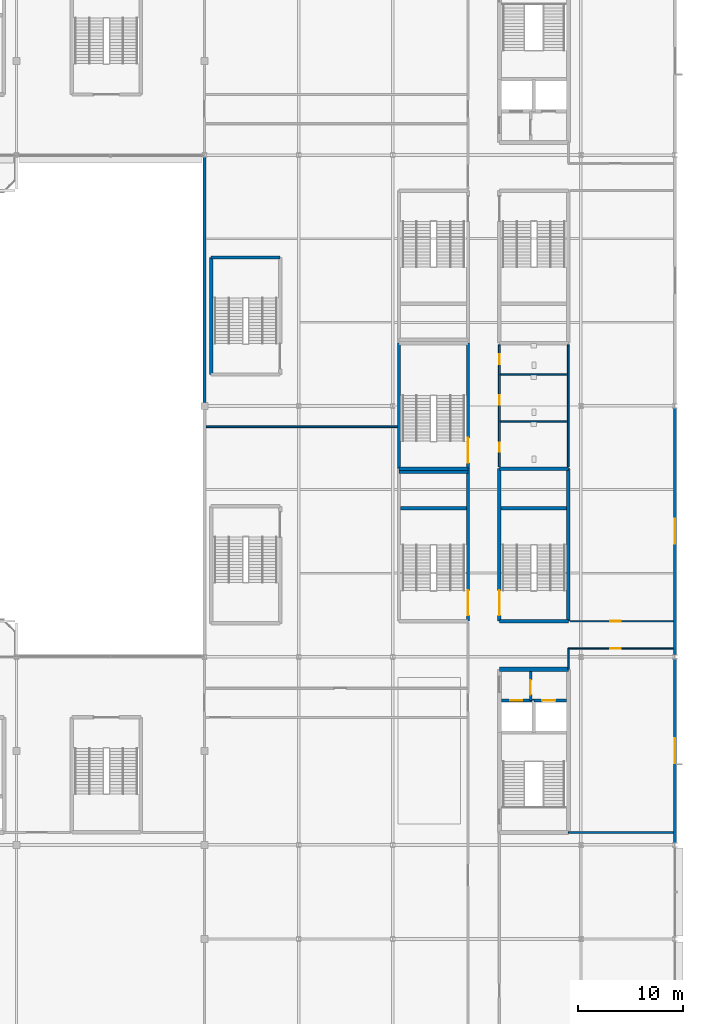
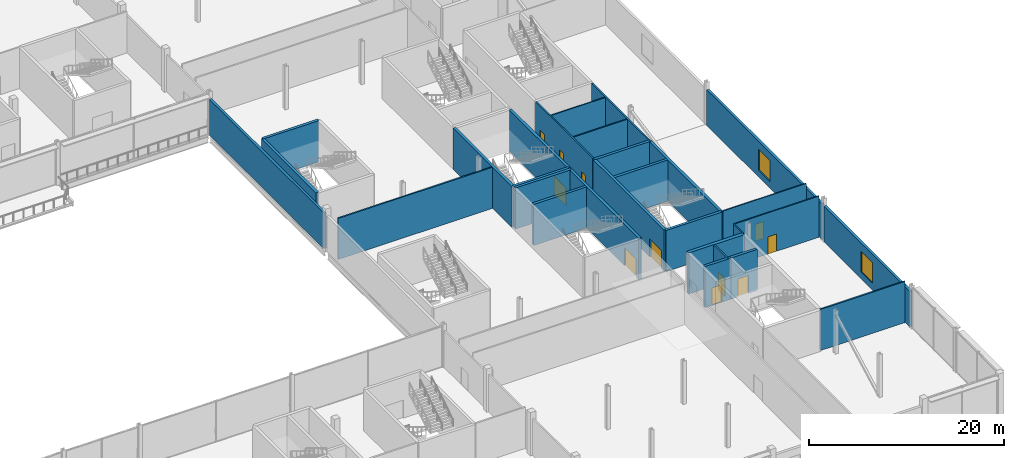
# One storey, part 70 of 113: 29 walls, 11 doors, 2 windows, 13 openings.
"""IFC4 building model written with IfcOpenShell, lengths in metres."""

from ifc_helpers import new_model, si_unit, direction, frame, frame_2d, origin, place, context, subcontext, project, spatial, rectangle, extrude, material, layer, layer_set, type_object, element, fill, save


model = new_model("IFC4")

# Units and contexts
model_context = context("Model", 3, precision=1e-05, world=origin(), true_north=direction((0.0, 1.0)))
body_context = subcontext(model_context, "Body", "Model", "MODEL_VIEW")
ifc_project = project(units=[si_unit("LENGTHUNIT", "METRE"), si_unit("AREAUNIT", "SQUARE_METRE"), si_unit("VOLUMEUNIT", "CUBIC_METRE"), si_unit("PLANEANGLEUNIT", "RADIAN"), si_unit("MASSUNIT", "GRAM", prefix="KILO")], contexts=[model_context])

# Site, building, storey
site_placement = place(None, origin())
site = spatial("IfcSite", under=ifc_project, at=site_placement, CompositionType="ELEMENT")
building_placement = place(site_placement, origin())
building = spatial("IfcBuilding", under=site, at=building_placement, Name="Kisiwana Market Hall", CompositionType="ELEMENT")
storey_placement = place(building_placement, frame((0.0, 0.0, 6.0)))
storey = spatial("IfcBuildingStorey", under=building, at=storey_placement, Name="L01", CompositionType="ELEMENT", Elevation=6.0)

# Wall, opening, door
ifc_material_1 = material(Name="Masonry blockwork", Category="masonry")
ifc_layer_1 = layer(ifc_material_1, 0.199951171875, Name="Plastered fire compartment block wall")
ifc_layer_set_1 = layer_set([ifc_layer_1], Name="WL-COMP-200")
wall_type_1 = type_object("IfcWallType", Name="WL-COMP-200", PredefinedType="PARTITIONING", material=ifc_layer_set_1)
wall_1_placement = place(storey_placement, frame((184.199951171875, 31.820068359375, 0.0), z_axis=(0.0, 0.0, 1.0), x_axis=(0.0, 1.0, 0.0)))
wall_1 = element("IfcWall", 1, at=wall_1_placement, inside=storey, type_object=wall_type_1, Name="Core E2 firefighting lobby wall W-0844", PredefinedType="PARTITIONING", context=body_context, shape_type="SweptSolid", body=[
    extrude(rectangle(XDim=2.780029296875, YDim=0.199951171875, at=frame_2d((1.39013671875, 0.0))), origin(), (0.0, 0.0, 1.0), 5.14990234375),
])
opening_1_placement = place(wall_1_placement, frame((0.550048828125, 0.0, 0.0)))
opening_1 = element("IfcOpeningElement", 2, at=opening_1_placement, cuts=wall_1, Name="Opening DR-L01-009", PredefinedType="OPENING", context=body_context, shape_type="SweptSolid", body=[
    extrude(rectangle(XDim=1.39990234375, YDim=2.25, at=frame_2d((0.699951171875, 1.125))), frame((0.0, 0.11181640625, 0.0), z_axis=(0.0, -1.0, 0.0), x_axis=(1.0, 0.0, 0.0)), (0.0, 0.0, 1.0), 0.223876953125),
])
ifc_material_2 = material(Name="Steel S275", Category="steel")
door_type_1 = type_object("IfcDoorType", Name="DR-FFLOB-FD120-1400", OperationType="DOUBLE_DOOR_SINGLE_SWING", PredefinedType="DOOR", material=ifc_material_2)
door_1_placement = place(opening_1_placement, origin())
door_1 = element("IfcDoor", 3, at=door_1_placement, inside=storey, type_object=door_type_1, Name="Firefighting Lift Lobby E2 Door (L01)", OperationType="DOUBLE_DOOR_SINGLE_SWING", OverallHeight=2.25, OverallWidth=1.39990234375, PredefinedType="DOOR", context=body_context, shape_type="SweptSolid", body=[
    extrude(rectangle(XDim=1.39990234375, YDim=2.25, at=frame_2d((0.699951171875, 1.125))), frame((0.0, 0.02490234375, 0.0), z_axis=(0.0, -1.0, 0.0), x_axis=(1.0, 0.0, 0.0)), (0.0, 0.0, 1.0), 0.050048828125),
])
fill(opening_1, door_1)

ifc_material_3 = material(Name="Concrete C40/50", Category="concrete")
ifc_layer_2 = layer(ifc_material_3, 0.320068359375, Name="Reinforced concrete shaft wall")
ifc_layer_set_2 = layer_set([ifc_layer_2], Name="WL-CORE-320")
wall_type_2 = type_object("IfcWallType", Name="WL-CORE-320", PredefinedType="SHEAR", material=ifc_layer_set_2)
wall_2_placement = place(storey_placement, frame((181.39990234375, 31.820068359375, 0.0), z_axis=(0.0, 0.0, 1.0), x_axis=(1.0, 0.0, 0.0)))
wall_2 = element("IfcWall", 4, at=wall_2_placement, inside=storey, type_object=wall_type_2, Name="Core E2 west lift front wall W-0697", PredefinedType="SHEAR", context=body_context, shape_type="SweptSolid", body=[
    extrude(rectangle(XDim=3.10009765625, YDim=0.320068359375, at=frame_2d((1.550048828125, 0.0))), origin(), (0.0, 0.0, 1.0), 5.14990234375),
])
opening_2_placement = place(wall_2_placement, frame((0.85009765625, 0.0, 0.0)))
opening_2 = element("IfcOpeningElement", 5, at=opening_2_placement, cuts=wall_2, Name="Opening LD-L01-005", PredefinedType="OPENING", context=body_context, shape_type="SweptSolid", body=[
    extrude(rectangle(XDim=1.14990234375, YDim=2.199951171875, at=frame_2d((0.574951171875, 1.10009765625))), frame((0.0, 0.171875, 0.0), z_axis=(0.0, -1.0, 0.0), x_axis=(1.0, 0.0, 0.0)), (0.0, 0.0, 1.0), 0.343994140625),
])
ifc_material_4 = material(Name="Steel S275", Category="steel")
door_type_2 = type_object("IfcDoorType", Name="DR-LIFT-PAX-1150", OperationType="DOUBLE_DOOR_SLIDING", PredefinedType="DOOR", material=ifc_material_4)
door_2_placement = place(opening_2_placement, origin())
door_2 = element("IfcDoor", 6, at=door_2_placement, inside=storey, type_object=door_type_2, Name="Lift Landing Door LP-03 (L01)", OperationType="DOUBLE_DOOR_SLIDING", OverallHeight=2.199951171875, OverallWidth=1.14990234375, PredefinedType="DOOR", context=body_context, shape_type="SweptSolid", body=[
    extrude(rectangle(XDim=1.14990234375, YDim=2.199951171875, at=frame_2d((0.574951171875, 1.10009765625))), frame((0.0, 0.02490234375, 0.0), z_axis=(0.0, -1.0, 0.0), x_axis=(1.0, 0.0, 0.0)), (0.0, 0.0, 1.0), 0.050048828125),
])
fill(opening_2, door_2)

wall_3_placement = place(storey_placement, frame((184.5, 31.820068359375, 0.0), z_axis=(0.0, 0.0, 1.0), x_axis=(1.0, 0.0, 0.0)))
wall_3 = element("IfcWall", 7, at=wall_3_placement, inside=storey, type_object=wall_type_2, Name="Core E2 east lift front wall W-0698", PredefinedType="SHEAR", context=body_context, shape_type="SweptSolid", body=[
    extrude(rectangle(XDim=3.10009765625, YDim=0.320068359375, at=frame_2d((1.550048828125, 0.0))), origin(), (0.0, 0.0, 1.0), 5.14990234375),
])
opening_3_placement = place(wall_3_placement, frame((0.800048828125, 0.0, 0.0)))
opening_3 = element("IfcOpeningElement", 8, at=opening_3_placement, cuts=wall_3, Name="Opening LD-L01-006", PredefinedType="OPENING", context=body_context, shape_type="SweptSolid", body=[
    extrude(rectangle(XDim=1.25, YDim=2.25, at=frame_2d((0.625, 1.125))), frame((0.0, 0.171875, 0.0), z_axis=(0.0, -1.0, 0.0), x_axis=(1.0, 0.0, 0.0)), (0.0, 0.0, 1.0), 0.343994140625),
])
ifc_material_5 = material(Name="Steel S275", Category="steel")
door_type_3 = type_object("IfcDoorType", Name="DR-LIFT-FFL-1250", OperationType="DOUBLE_DOOR_SLIDING", PredefinedType="DOOR", material=ifc_material_5)
door_3_placement = place(opening_3_placement, origin())
door_3 = element("IfcDoor", 9, at=door_3_placement, inside=storey, type_object=door_type_3, Name="Lift Landing Door FFL-03 (L01)", OperationType="DOUBLE_DOOR_SLIDING", OverallHeight=2.25, OverallWidth=1.25, PredefinedType="DOOR", context=body_context, shape_type="SweptSolid", body=[
    extrude(rectangle(XDim=1.25, YDim=2.25, at=frame_2d((0.625, 1.125))), frame((0.0, 0.02490234375, 0.0), z_axis=(0.0, -1.0, 0.0), x_axis=(1.0, 0.0, 0.0)), (0.0, 0.0, 1.0), 0.050048828125),
])
fill(opening_3, door_3)

# Walls
for number, where, z_axis, x_axis, name in (
    (10, (181.199951171875, 39.39990234375, 0.0), (0.0, 0.0, 1.0), (1.0, 0.0, 0.0), "Core E3 south shear wall W-0740"),
    (11, (181.199951171875, 54.0, 0.0), (0.0, 0.0, 1.0), (1.0, 0.0, 0.0), "Core E3 north shear wall W-0741"),
):
    element("IfcWall", number, at=place(storey_placement, frame(where, z_axis=z_axis, x_axis=x_axis)), inside=storey, type_object=wall_type_2, Name=name, PredefinedType="SHEAR", context=body_context, shape_type="SweptSolid", body=[
        extrude(rectangle(XDim=6.60009765625, YDim=0.320068359375, at=frame_2d((3.300048828125, 0.0))), origin(), (0.0, 0.0, 1.0), 5.14990234375),
    ])

# Wall, opening, door
wall_4_placement = place(storey_placement, frame((181.199951171875, 39.39990234375, 0.0), z_axis=(0.0, 0.0, 1.0), x_axis=(0.0, 1.0, 0.0)))
wall_4 = element("IfcWall", 12, at=wall_4_placement, inside=storey, type_object=wall_type_2, Name="Core E3 corridor shear wall W-0742", PredefinedType="SHEAR", context=body_context, shape_type="SweptSolid", body=[
    extrude(rectangle(XDim=14.60009765625, YDim=0.320068359375, at=frame_2d((7.300048828125, 0.0))), origin(), (0.0, 0.0, 1.0), 5.14990234375),
])
opening_4_placement = place(wall_4_placement, frame((0.550048828125, 0.0, 0.0)))
opening_4 = element("IfcOpeningElement", 13, at=opening_4_placement, cuts=wall_4, Name="Opening DR-L01-021", PredefinedType="OPENING", context=body_context, shape_type="SweptSolid", body=[
    extrude(rectangle(XDim=2.39990234375, YDim=2.25, at=frame_2d((1.199951171875, 1.125))), frame((0.0, 0.171875, 0.0), z_axis=(0.0, -1.0, 0.0), x_axis=(1.0, 0.0, 0.0)), (0.0, 0.0, 1.0), 0.343994140625),
])
ifc_material_6 = material(Name="Steel S275", Category="steel")
door_type_4 = type_object("IfcDoorType", Name="DR-STAIR-FD120-2400", OperationType="DOUBLE_DOOR_SINGLE_SWING", PredefinedType="DOOR", material=ifc_material_6)
door_4_placement = place(opening_4_placement, frame((2.39990234375, 0.0, 0.0), z_axis=(0.0, 0.0, 1.0), x_axis=(-1.0, 0.0, 0.0)))
door_4 = element("IfcDoor", 14, at=door_4_placement, inside=storey, type_object=door_type_4, Name="Escape Stair E3 Fire Door (L01)", OperationType="DOUBLE_DOOR_SINGLE_SWING", OverallHeight=2.25, OverallWidth=2.39990234375, PredefinedType="DOOR", context=body_context, shape_type="SweptSolid", body=[
    extrude(rectangle(XDim=2.39990234375, YDim=2.25, at=frame_2d((1.199951171875, 1.125))), frame((0.0, 0.02490234375, 0.0), z_axis=(0.0, -1.0, 0.0), x_axis=(1.0, 0.0, 0.0)), (0.0, 0.0, 1.0), 0.050048828125),
])
fill(opening_4, door_4)

# Walls
wall_5_placement = place(storey_placement, frame((187.800048828125, 39.39990234375, 0.0), z_axis=(0.0, 0.0, 1.0), x_axis=(0.0, 1.0, 0.0)))
element("IfcWall", 15, at=wall_5_placement, inside=storey, type_object=wall_type_2, Name="Core E3 outer shear wall W-0743", PredefinedType="SHEAR", context=body_context, shape_type="SweptSolid", body=[
    extrude(rectangle(XDim=14.60009765625, YDim=0.320068359375, at=frame_2d((7.300048828125, 0.0))), origin(), (0.0, 0.0, 1.0), 5.14990234375),
])
wall_6_placement = place(storey_placement, frame((181.360107421875, 50.219970703125, 0.0), z_axis=(0.0, 0.0, 1.0), x_axis=(1.0, 0.0, 0.0)))
element("IfcWall", 16, at=wall_6_placement, inside=storey, type_object=wall_type_2, Name="Core E3 riser divider shear wall W-0744", PredefinedType="SHEAR", context=body_context, shape_type="SweptSolid", body=[
    extrude(rectangle(XDim=6.27978515625, YDim=0.320068359375, at=frame_2d((3.139892578125, 0.0))), origin(), (0.0, 0.0, 1.0), 5.14990234375),
])
wall_7_placement = place(storey_placement, frame((171.60009765625, 54.0, 0.0), z_axis=(0.0, 0.0, 1.0), x_axis=(1.0, 0.0, 0.0)))
element("IfcWall", 17, at=wall_7_placement, inside=storey, type_object=wall_type_2, Name="Core E7 north shear wall W-0756", PredefinedType="SHEAR", context=body_context, shape_type="SweptSolid", body=[
    extrude(rectangle(XDim=6.599853515625, YDim=0.320068359375, at=frame_2d((3.2998046875, 0.0))), origin(), (0.0, 0.0, 1.0), 5.14990234375),
])

# Wall, opening, door
wall_8_placement = place(storey_placement, frame((178.199951171875, 39.39990234375, 0.0), z_axis=(0.0, 0.0, 1.0), x_axis=(0.0, 1.0, 0.0)))
wall_8 = element("IfcWall", 18, at=wall_8_placement, inside=storey, type_object=wall_type_2, Name="Core E7 corridor shear wall W-0758", PredefinedType="SHEAR", context=body_context, shape_type="SweptSolid", body=[
    extrude(rectangle(XDim=14.60009765625, YDim=0.320068359375, at=frame_2d((7.300048828125, 0.0))), origin(), (0.0, 0.0, 1.0), 5.14990234375),
])
opening_5_placement = place(wall_8_placement, frame((0.550048828125, 0.0, 0.0)))
opening_5 = element("IfcOpeningElement", 19, at=opening_5_placement, cuts=wall_8, Name="Opening DR-L01-024", PredefinedType="OPENING", context=body_context, shape_type="SweptSolid", body=[
    extrude(rectangle(XDim=2.39990234375, YDim=2.25, at=frame_2d((1.199951171875, 1.125))), frame((0.0, 0.171875, 0.0), z_axis=(0.0, -1.0, 0.0), x_axis=(1.0, 0.0, 0.0)), (0.0, 0.0, 1.0), 0.343994140625),
])
door_5_placement = place(opening_5_placement, origin())
door_5 = element("IfcDoor", 20, at=door_5_placement, inside=storey, type_object=door_type_4, Name="Escape Stair E7 Fire Door (L01)", OperationType="DOUBLE_DOOR_SINGLE_SWING", OverallHeight=2.25, OverallWidth=2.39990234375, PredefinedType="DOOR", context=body_context, shape_type="SweptSolid", body=[
    extrude(rectangle(XDim=2.39990234375, YDim=2.25, at=frame_2d((1.199951171875, 1.125))), frame((0.0, 0.02490234375, 0.0), z_axis=(0.0, -1.0, 0.0), x_axis=(1.0, 0.0, 0.0)), (0.0, 0.0, 1.0), 0.050048828125),
])
fill(opening_5, door_5)

# Walls
wall_9_placement = place(storey_placement, frame((171.760009765625, 50.219970703125, 0.0), z_axis=(0.0, 0.0, 1.0), x_axis=(1.0, 0.0, 0.0)))
element("IfcWall", 21, at=wall_9_placement, inside=storey, type_object=wall_type_2, Name="Core E7 riser divider shear wall W-0759", PredefinedType="SHEAR", context=body_context, shape_type="SweptSolid", body=[
    extrude(rectangle(XDim=6.280029296875, YDim=0.320068359375, at=frame_2d((3.14013671875, 0.0))), origin(), (0.0, 0.0, 1.0), 5.14990234375),
])
wall_10_placement = place(storey_placement, frame((153.6298828125, 74.199951171875, 0.0), z_axis=(0.0, 0.0, 1.0), x_axis=(1.0, 0.0, 0.0)))
element("IfcWall", 22, at=wall_10_placement, inside=storey, type_object=wall_type_2, Name="Core E10 north shear wall W-0783", PredefinedType="SHEAR", context=body_context, shape_type="SweptSolid", body=[
    extrude(rectangle(XDim=6.60009765625, YDim=0.320068359375, at=frame_2d((3.300048828125, 0.0))), origin(), (0.0, 0.0, 1.0), 5.14990234375),
])
wall_11_placement = place(storey_placement, frame((153.6298828125, 63.0, 0.0), z_axis=(0.0, 0.0, 1.0), x_axis=(0.0, 1.0, 0.0)))
element("IfcWall", 23, at=wall_11_placement, inside=storey, type_object=wall_type_2, Name="Core E10 outer shear wall W-0784", PredefinedType="SHEAR", context=body_context, shape_type="SweptSolid", body=[
    extrude(rectangle(XDim=11.199951171875, YDim=0.320068359375, at=frame_2d((5.60009765625, 0.0))), origin(), (0.0, 0.0, 1.0), 5.14990234375),
])
wall_12_placement = place(storey_placement, frame((171.60009765625, 53.679931640625, 0.0), z_axis=(0.0, 0.0, 1.0), x_axis=(1.0, 0.0, 0.0)))
element("IfcWall", 24, at=wall_12_placement, inside=storey, type_object=wall_type_2, Name="Core E5 south shear wall W-0790", PredefinedType="SHEAR", context=body_context, shape_type="SweptSolid", body=[
    extrude(rectangle(XDim=6.599853515625, YDim=0.320068359375, at=frame_2d((3.2998046875, 0.0))), origin(), (0.0, 0.0, 1.0), 5.14990234375),
])
wall_13_placement = place(storey_placement, frame((171.60009765625, 54.0, 0.0), z_axis=(0.0, 0.0, 1.0), x_axis=(0.0, 1.0, 0.0)))
element("IfcWall", 25, at=wall_13_placement, inside=storey, type_object=wall_type_2, Name="Core E5 outer shear wall W-0792", PredefinedType="SHEAR", context=body_context, shape_type="SweptSolid", body=[
    extrude(rectangle(XDim=12.0, YDim=0.320068359375, at=frame_2d((6.0, 0.0))), origin(), (0.0, 0.0, 1.0), 5.14990234375),
])

# Wall, opening, door
wall_14_placement = place(storey_placement, frame((178.199951171875, 54.0, 0.0), z_axis=(0.0, 0.0, 1.0), x_axis=(0.0, 1.0, 0.0)))
wall_14 = element("IfcWall", 26, at=wall_14_placement, inside=storey, type_object=wall_type_2, Name="Core E5 corridor shear wall W-0793", PredefinedType="SHEAR", context=body_context, shape_type="SweptSolid", body=[
    extrude(rectangle(XDim=12.0, YDim=0.320068359375, at=frame_2d((6.0, 0.0))), origin(), (0.0, 0.0, 1.0), 5.14990234375),
])
opening_6_placement = place(wall_14_placement, frame((0.550048828125, 0.0, 0.0)))
opening_6 = element("IfcOpeningElement", 27, at=opening_6_placement, cuts=wall_14, Name="Opening DR-L01-032", PredefinedType="OPENING", context=body_context, shape_type="SweptSolid", body=[
    extrude(rectangle(XDim=2.39990234375, YDim=2.25, at=frame_2d((1.199951171875, 1.125))), frame((0.0, 0.171875, 0.0), z_axis=(0.0, -1.0, 0.0), x_axis=(1.0, 0.0, 0.0)), (0.0, 0.0, 1.0), 0.343994140625),
])
door_6_placement = place(opening_6_placement, origin())
door_6 = element("IfcDoor", 28, at=door_6_placement, inside=storey, type_object=door_type_4, Name="Escape Stair E5 Fire Door (L01)", OperationType="DOUBLE_DOOR_SINGLE_SWING", OverallHeight=2.25, OverallWidth=2.39990234375, PredefinedType="DOOR", context=body_context, shape_type="SweptSolid", body=[
    extrude(rectangle(XDim=2.39990234375, YDim=2.25, at=frame_2d((1.199951171875, 1.125))), frame((0.0, 0.02490234375, 0.0), z_axis=(0.0, -1.0, 0.0), x_axis=(1.0, 0.0, 0.0)), (0.0, 0.0, 1.0), 0.050048828125),
])
fill(opening_6, door_6)

# Walls
ifc_material_7 = material(Name="Concrete C40/50", Category="concrete")
ifc_layer_3 = layer(ifc_material_7, 0.39990234375, Name="Reinforced concrete core wall")
ifc_layer_set_3 = layer_set([ifc_layer_3], Name="WL-CORE-400")
wall_type_3 = type_object("IfcWallType", Name="WL-CORE-400", PredefinedType="SHEAR", material=ifc_layer_set_3)
wall_15_placement = place(storey_placement, frame((181.199951171875, 34.800048828125, 0.0), z_axis=(0.0, 0.0, 1.0), x_axis=(1.0, 0.0, 0.0)))
element("IfcWall", 29, at=wall_15_placement, inside=storey, type_object=wall_type_3, Name="Core E2 north shear wall W-0691", PredefinedType="SHEAR", context=body_context, shape_type="SweptSolid", body=[
    extrude(rectangle(XDim=6.60009765625, YDim=0.39990234375, at=frame_2d((3.300048828125, 0.0))), origin(), (0.0, 0.0, 1.0), 5.14990234375),
])
ifc_material_8 = material(Name="Masonry blockwork", Category="masonry")
ifc_layer_4 = layer(ifc_material_8, 0.169921875, Name="Protected corridor partition")
ifc_layer_set_4 = layer_set([ifc_layer_4], Name="WL-CORR-170")
wall_type_4 = type_object("IfcWallType", Name="WL-CORR-170", PredefinedType="PARTITIONING", material=ifc_layer_set_4)
wall_16_placement = place(storey_placement, frame((187.800048828125, 54.159912109375, 0.0), z_axis=(0.0, 0.0, 1.0), x_axis=(0.0, 1.0, 0.0)))
element("IfcWall", 30, at=wall_16_placement, inside=storey, type_object=wall_type_4, Name="Interior partition W-0873", PredefinedType="PARTITIONING", context=body_context, shape_type="SweptSolid", body=[
    extrude(rectangle(XDim=11.68017578125, YDim=0.169921875, at=frame_2d((5.840087890625, 0.0))), origin(), (0.0, 0.0, 1.0), 5.14990234375),
])

# Wall, openings, doors
wall_17_placement = place(storey_placement, frame((181.199951171875, 54.159912109375, 0.0), z_axis=(0.0, 0.0, 1.0), x_axis=(0.0, 1.0, 0.0)))
wall_17 = element("IfcWall", 31, at=wall_17_placement, inside=storey, type_object=wall_type_4, Name="Interior partition W-0874", PredefinedType="PARTITIONING", context=body_context, shape_type="SweptSolid", body=[
    extrude(rectangle(XDim=11.68017578125, YDim=0.169921875, at=frame_2d((5.840087890625, 0.0))), origin(), (0.0, 0.0, 1.0), 5.14990234375),
])
opening_7_placement = place(wall_17_placement, frame((1.43994140625, 0.0, 0.0)))
opening_7 = element("IfcOpeningElement", 32, at=opening_7_placement, cuts=wall_17, Name="Opening DR-L01-059", PredefinedType="OPENING", context=body_context, shape_type="SweptSolid", body=[
    extrude(rectangle(XDim=0.89990234375, YDim=2.10009765625, at=frame_2d((0.449951171875, 1.050048828125))), frame((0.0, 0.096923828125, 0.0), z_axis=(0.0, -1.0, 0.0), x_axis=(1.0, 0.0, 0.0)), (0.0, 0.0, 1.0), 0.19384765625),
])
opening_8_placement = place(wall_17_placement, frame((5.93994140625, 0.0, 0.0)))
opening_8 = element("IfcOpeningElement", 33, at=opening_8_placement, cuts=wall_17, Name="Opening DR-L01-060", PredefinedType="OPENING", context=body_context, shape_type="SweptSolid", body=[
    extrude(rectangle(XDim=0.89990234375, YDim=2.10009765625, at=frame_2d((0.449951171875, 1.050048828125))), frame((0.0, 0.096923828125, 0.0), z_axis=(0.0, -1.0, 0.0), x_axis=(1.0, 0.0, 0.0)), (0.0, 0.0, 1.0), 0.19384765625),
])
opening_9_placement = place(wall_17_placement, frame((9.840087890625, 0.0, 0.0)))
opening_9 = element("IfcOpeningElement", 34, at=opening_9_placement, cuts=wall_17, Name="Opening DR-L01-061", PredefinedType="OPENING", context=body_context, shape_type="SweptSolid", body=[
    extrude(rectangle(XDim=0.949951171875, YDim=2.10009765625, at=frame_2d((0.47509765625, 1.050048828125))), frame((0.0, 0.096923828125, 0.0), z_axis=(0.0, -1.0, 0.0), x_axis=(1.0, 0.0, 0.0)), (0.0, 0.0, 1.0), 0.19384765625),
])
ifc_material_9 = material(Name="Aluminium alloy 6063-T6", Category="aluminium")
door_type_5 = type_object("IfcDoorType", Name="DR-WC-ACC-950", OperationType="NOTDEFINED", PredefinedType="DOOR", material=ifc_material_9)
door_7_placement = place(opening_9_placement, frame((0.949951171875, 0.0, 0.0), z_axis=(0.0, 0.0, 1.0), x_axis=(-1.0, 0.0, 0.0)))
door_7 = element("IfcDoor", 35, at=door_7_placement, inside=storey, type_object=door_type_5, Name="L01 E Accessible WC Door", OperationType="SINGLE_SWING_LEFT", OverallHeight=2.10009765625, OverallWidth=0.949951171875, PredefinedType="DOOR", context=body_context, shape_type="SweptSolid", body=[
    extrude(rectangle(XDim=0.949951171875, YDim=2.10009765625, at=frame_2d((0.47509765625, 1.050048828125))), frame((0.0, 0.02490234375, 0.0), z_axis=(0.0, -1.0, 0.0), x_axis=(1.0, 0.0, 0.0)), (0.0, 0.0, 1.0), 0.050048828125),
])
fill(opening_9, door_7)
ifc_material_10 = material(Name="Aluminium alloy 6063-T6", Category="aluminium")
door_type_6 = type_object("IfcDoorType", Name="DR-WC-STD-900", OperationType="NOTDEFINED", PredefinedType="DOOR", material=ifc_material_10)
door_8_placement = place(opening_7_placement, frame((0.89990234375, 0.0, 0.0), z_axis=(0.0, 0.0, 1.0), x_axis=(-1.0, 0.0, 0.0)))
door_8 = element("IfcDoor", 36, at=door_8_placement, inside=storey, type_object=door_type_6, Name="L01 E Male Toilet Door", OperationType="SINGLE_SWING_RIGHT", OverallHeight=2.10009765625, OverallWidth=0.89990234375, PredefinedType="DOOR", context=body_context, shape_type="SweptSolid", body=[
    extrude(rectangle(XDim=0.89990234375, YDim=2.10009765625, at=frame_2d((0.449951171875, 1.050048828125))), frame((0.0, 0.02490234375, 0.0), z_axis=(0.0, -1.0, 0.0), x_axis=(1.0, 0.0, 0.0)), (0.0, 0.0, 1.0), 0.050048828125),
])
fill(opening_7, door_8)
door_9_placement = place(opening_8_placement, frame((0.89990234375, 0.0, 0.0), z_axis=(0.0, 0.0, 1.0), x_axis=(-1.0, 0.0, 0.0)))
door_9 = element("IfcDoor", 37, at=door_9_placement, inside=storey, type_object=door_type_6, Name="L01 E Female Toilet Door", OperationType="SINGLE_SWING_LEFT", OverallHeight=2.10009765625, OverallWidth=0.89990234375, PredefinedType="DOOR", context=body_context, shape_type="SweptSolid", body=[
    extrude(rectangle(XDim=0.89990234375, YDim=2.10009765625, at=frame_2d((0.449951171875, 1.050048828125))), frame((0.0, 0.02490234375, 0.0), z_axis=(0.0, -1.0, 0.0), x_axis=(1.0, 0.0, 0.0)), (0.0, 0.0, 1.0), 0.050048828125),
])
fill(opening_8, door_9)

# Walls
wall_18_placement = place(storey_placement, frame((187.800048828125, 19.199951171875, 0.0), z_axis=(0.0, 0.0, 1.0), x_axis=(1.0, 0.0, 0.0)))
element("IfcWall", 38, at=wall_18_placement, inside=storey, type_object=wall_type_4, Name="Interior partition W-0879", PredefinedType="PARTITIONING", context=body_context, shape_type="SweptSolid", body=[
    extrude(rectangle(XDim=10.04248046875, YDim=0.169921875, at=frame_2d((5.021240234375, 0.0))), origin(), (0.0, 0.0, 1.0), 5.14990234375),
])
wall_19_placement = place(storey_placement, frame((153.157470703125, 58.0, 0.0), z_axis=(0.0, 0.0, 1.0), x_axis=(1.0, 0.0, 0.0)))
element("IfcWall", 39, at=wall_19_placement, inside=storey, type_object=wall_type_4, Name="Interior partition W-0889", PredefinedType="PARTITIONING", context=body_context, shape_type="SweptSolid", body=[
    extrude(rectangle(XDim=18.282470703125, YDim=0.169921875, at=frame_2d((9.14111328125, 0.0))), origin(), (0.0, 0.0, 1.0), 5.14990234375),
])
ifc_material_11 = material(Name="Masonry blockwork", Category="masonry")
ifc_layer_5 = layer(ifc_material_11, 0.139892578125, Name="Rendered masonry outer leaf")
ifc_material_12 = material(Name="Mineral wool insulation")
ifc_layer_6 = layer(ifc_material_12, 0.074951171875, Name="Mineral wool cavity insulation")
ifc_material_13 = material(Name="Gypsum plasterboard")
ifc_layer_7 = layer(ifc_material_13, 0.074951171875, Name="Calcium silicate inner lining")
ifc_layer_set_5 = layer_set([ifc_layer_5, ifc_layer_6, ifc_layer_7], Name="WL-EXT-MAS-290")
wall_type_5 = type_object("IfcWallType", Name="WL-EXT-MAS-290", PredefinedType="STANDARD", material=ifc_layer_set_5)
wall_20_placement = place(storey_placement, frame((153.0, 60.31689453125, 0.0), z_axis=(0.0, 0.0, 1.0), x_axis=(0.0, 1.0, 0.0)))
element("IfcWall", 40, at=wall_20_placement, inside=storey, type_object=wall_type_5, Name="Exterior wall W-0837", PredefinedType="STANDARD", context=body_context, shape_type="SweptSolid", body=[
    extrude(rectangle(XDim=23.484619140625, YDim=0.2900390625, at=frame_2d((11.7421875, 0.0))), origin(), (0.0, 0.0, 1.0), 4.466552734375),
])

# Wall, opening, window
wall_21_placement = place(storey_placement, frame((198.0, 18.198486328125, 0.0), z_axis=(0.0, 0.0, 1.0), x_axis=(0.0, 1.0, 0.0)))
wall_21 = element("IfcWall", 41, at=wall_21_placement, inside=storey, type_object=wall_type_5, Name="Exterior wall W-0838", PredefinedType="STANDARD", context=body_context, shape_type="SweptSolid", body=[
    extrude(rectangle(XDim=17.60302734375, YDim=0.2900390625, at=frame_2d((8.801513671875, 0.0))), origin(), (0.0, 0.0, 1.0), 4.466552734375),
])
opening_10_placement = place(wall_21_placement, frame((7.6015625, 0.0, 0.85009765625)))
opening_10 = element("IfcOpeningElement", 42, at=opening_10_placement, cuts=wall_21, Name="Opening WN-11", PredefinedType="OPENING", context=body_context, shape_type="SweptSolid", body=[
    extrude(rectangle(XDim=2.39990234375, YDim=2.60009765625, at=frame_2d((1.199951171875, 1.300048828125))), frame((0.0, 0.156982421875, 0.0), z_axis=(0.0, -1.0, 0.0), x_axis=(1.0, 0.0, 0.0)), (0.0, 0.0, 1.0), 0.31396484375),
])
ifc_material_14 = material(Name="Double-glazed solar-control low-E IGU", Category="glass")
window_type = type_object("IfcWindowType", Name="WN-POD-2400x2600", PartitioningType="SINGLE_PANEL", PredefinedType="WINDOW", material=ifc_material_14)
window_1_placement = place(opening_10_placement, origin())
window_1 = element("IfcWindow", 43, at=window_1_placement, inside=storey, type_object=window_type, Name="Exterior window WN-021", OverallHeight=2.60009765625, OverallWidth=2.39990234375, PartitioningType="SINGLE_PANEL", PredefinedType="WINDOW", context=body_context, shape_type="SweptSolid", body=[
    extrude(rectangle(XDim=2.39990234375, YDim=2.60009765625, at=frame_2d((1.199951171875, 1.300048828125))), frame((0.0, 0.030029296875, 0.0), z_axis=(0.0, -1.0, 0.0), x_axis=(1.0, 0.0, 0.0)), (0.0, 0.0, 1.0), 0.06005859375),
])
fill(opening_10, window_1)

wall_22_placement = place(storey_placement, frame((198.0, 36.198486328125, 0.0), z_axis=(0.0, 0.0, 1.0), x_axis=(0.0, 1.0, 0.0)))
wall_22 = element("IfcWall", 44, at=wall_22_placement, inside=storey, type_object=wall_type_5, Name="Exterior wall W-0839", PredefinedType="STANDARD", context=body_context, shape_type="SweptSolid", body=[
    extrude(rectangle(XDim=23.60302734375, YDim=0.2900390625, at=frame_2d((11.801513671875, 0.0))), origin(), (0.0, 0.0, 1.0), 4.466552734375),
])
opening_11_placement = place(wall_22_placement, frame((10.6015625, 0.0, 0.85009765625)))
opening_11 = element("IfcOpeningElement", 45, at=opening_11_placement, cuts=wall_22, Name="Opening WN-11", PredefinedType="OPENING", context=body_context, shape_type="SweptSolid", body=[
    extrude(rectangle(XDim=2.39990234375, YDim=2.60009765625, at=frame_2d((1.199951171875, 1.300048828125))), frame((0.0, 0.156982421875, 0.0), z_axis=(0.0, -1.0, 0.0), x_axis=(1.0, 0.0, 0.0)), (0.0, 0.0, 1.0), 0.31396484375),
])
window_2_placement = place(opening_11_placement, origin())
window_2 = element("IfcWindow", 46, at=window_2_placement, inside=storey, type_object=window_type, Name="Exterior window WN-022", OverallHeight=2.60009765625, OverallWidth=2.39990234375, PartitioningType="SINGLE_PANEL", PredefinedType="WINDOW", context=body_context, shape_type="SweptSolid", body=[
    extrude(rectangle(XDim=2.39990234375, YDim=2.60009765625, at=frame_2d((1.199951171875, 1.300048828125))), frame((0.0, 0.030029296875, 0.0), z_axis=(0.0, -1.0, 0.0), x_axis=(1.0, 0.0, 0.0)), (0.0, 0.0, 1.0), 0.06005859375),
])
fill(opening_11, window_2)

# Wall
ifc_material_15 = material(Name="Gypsum plasterboard")
ifc_layer_8 = layer(ifc_material_15, 0.125, Name="Double gypsum board + acoustic stud")
ifc_layer_set_6 = layer_set([ifc_layer_8], Name="WL-OFF-125")
wall_type_6 = type_object("IfcWallType", Name="WL-OFF-125", PredefinedType="PARTITIONING", material=ifc_layer_set_6)
wall_23_placement = place(storey_placement, frame((187.800048828125, 34.800048828125, 0.0), z_axis=(0.0, 0.0, 1.0), x_axis=(0.0, 1.0, 0.0)))
element("IfcWall", 47, at=wall_23_placement, inside=storey, type_object=wall_type_6, Name="Interior partition W-0877", PredefinedType="PARTITIONING", context=body_context, shape_type="SweptSolid", body=[
    extrude(rectangle(XDim=2.0, YDim=0.125, at=frame_2d((1.0, 0.0))), origin(), (0.0, 0.0, 1.0), 5.14990234375),
])

# Wall, opening, door
wall_24_placement = place(storey_placement, frame((187.800048828125, 36.800048828125, 0.0), z_axis=(0.0, 0.0, 1.0), x_axis=(1.0, 0.0, 0.0)))
wall_24 = element("IfcWall", 48, at=wall_24_placement, inside=storey, type_object=wall_type_6, Name="Interior partition W-0881", PredefinedType="PARTITIONING", context=body_context, shape_type="SweptSolid", body=[
    extrude(rectangle(XDim=10.04248046875, YDim=0.125, at=frame_2d((5.021240234375, 0.0))), origin(), (0.0, 0.0, 1.0), 5.14990234375),
])
opening_12_placement = place(wall_24_placement, frame((4.0, 0.0, 0.0)))
opening_12 = element("IfcOpeningElement", 49, at=opening_12_placement, cuts=wall_24, Name="Opening DR-L01-062", PredefinedType="OPENING", context=body_context, shape_type="SweptSolid", body=[
    extrude(rectangle(XDim=1.0, YDim=2.14990234375, at=frame_2d((0.5, 1.074951171875))), frame((0.0, 0.074462890625, 0.0), z_axis=(0.0, -1.0, 0.0), x_axis=(1.0, 0.0, 0.0)), (0.0, 0.0, 1.0), 0.14892578125),
])
ifc_material_16 = material(Name="Aluminium alloy 6063-T6", Category="aluminium")
door_type_7 = type_object("IfcDoorType", Name="DR-OFF-1000", OperationType="NOTDEFINED", PredefinedType="DOOR", material=ifc_material_16)
door_10_placement = place(opening_12_placement, frame((1.0, 0.0, 0.0), z_axis=(0.0, 0.0, 1.0), x_axis=(-1.0, 0.0, 0.0)))
door_10 = element("IfcDoor", 50, at=door_10_placement, inside=storey, type_object=door_type_7, Name="L01 E Food Court Kitchen South Door", OperationType="SINGLE_SWING_RIGHT", OverallHeight=2.14990234375, OverallWidth=1.0, PredefinedType="DOOR", context=body_context, shape_type="SweptSolid", body=[
    extrude(rectangle(XDim=1.0, YDim=2.14990234375, at=frame_2d((0.5, 1.074951171875))), frame((0.0, 0.02490234375, 0.0), z_axis=(0.0, -1.0, 0.0), x_axis=(1.0, 0.0, 0.0)), (0.0, 0.0, 1.0), 0.050048828125),
])
fill(opening_12, door_10)

wall_25_placement = place(storey_placement, frame((187.9599609375, 39.39990234375, 0.0), z_axis=(0.0, 0.0, 1.0), x_axis=(1.0, 0.0, 0.0)))
wall_25 = element("IfcWall", 51, at=wall_25_placement, inside=storey, type_object=wall_type_6, Name="Interior partition W-0882", PredefinedType="PARTITIONING", context=body_context, shape_type="SweptSolid", body=[
    extrude(rectangle(XDim=9.882568359375, YDim=0.125, at=frame_2d((4.94140625, 0.0))), origin(), (0.0, 0.0, 1.0), 5.14990234375),
])
opening_13_placement = place(wall_25_placement, frame((3.840087890625, 0.0, 0.0)))
opening_13 = element("IfcOpeningElement", 52, at=opening_13_placement, cuts=wall_25, Name="Opening DR-L01-063", PredefinedType="OPENING", context=body_context, shape_type="SweptSolid", body=[
    extrude(rectangle(XDim=1.0, YDim=2.14990234375, at=frame_2d((0.5, 1.074951171875))), frame((0.0, 0.074462890625, 0.0), z_axis=(0.0, -1.0, 0.0), x_axis=(1.0, 0.0, 0.0)), (0.0, 0.0, 1.0), 0.14892578125),
])
door_11_placement = place(opening_13_placement, origin())
door_11 = element("IfcDoor", 53, at=door_11_placement, inside=storey, type_object=door_type_7, Name="L01 E Food Court Kitchen Central Door", OperationType="SINGLE_SWING_LEFT", OverallHeight=2.14990234375, OverallWidth=1.0, PredefinedType="DOOR", context=body_context, shape_type="SweptSolid", body=[
    extrude(rectangle(XDim=1.0, YDim=2.14990234375, at=frame_2d((0.5, 1.074951171875))), frame((0.0, 0.02490234375, 0.0), z_axis=(0.0, -1.0, 0.0), x_axis=(1.0, 0.0, 0.0)), (0.0, 0.0, 1.0), 0.050048828125),
])
fill(opening_13, door_11)

# Walls
ifc_material_17 = material(Name="Masonry blockwork", Category="masonry")
ifc_layer_9 = layer(ifc_material_17, 0.14990234375, Name="Water-resistant sanitary block wall")
ifc_layer_set_7 = layer_set([ifc_layer_9], Name="WL-WET-150")
wall_type_7 = type_object("IfcWallType", Name="WL-WET-150", PredefinedType="PARTITIONING", material=ifc_layer_set_7)
for number, where, z_axis, x_axis, name in (
    (54, (181.284912109375, 58.5, 0.0), (0.0, 0.0, 1.0), (1.0, 0.0, 0.0), "Interior partition W-0875"),
    (55, (181.284912109375, 63.0, 0.0), (0.0, 0.0, 1.0), (1.0, 0.0, 0.0), "Interior partition W-0876"),
):
    element("IfcWall", number, at=place(storey_placement, frame(where, z_axis=z_axis, x_axis=x_axis)), inside=storey, type_object=wall_type_7, Name=name, PredefinedType="PARTITIONING", context=body_context, shape_type="SweptSolid", body=[
        extrude(rectangle(XDim=6.43017578125, YDim=0.14990234375, at=frame_2d((3.215087890625, 0.0))), origin(), (0.0, 0.0, 1.0), 5.14990234375),
    ])

save(model, "model.ifc")
